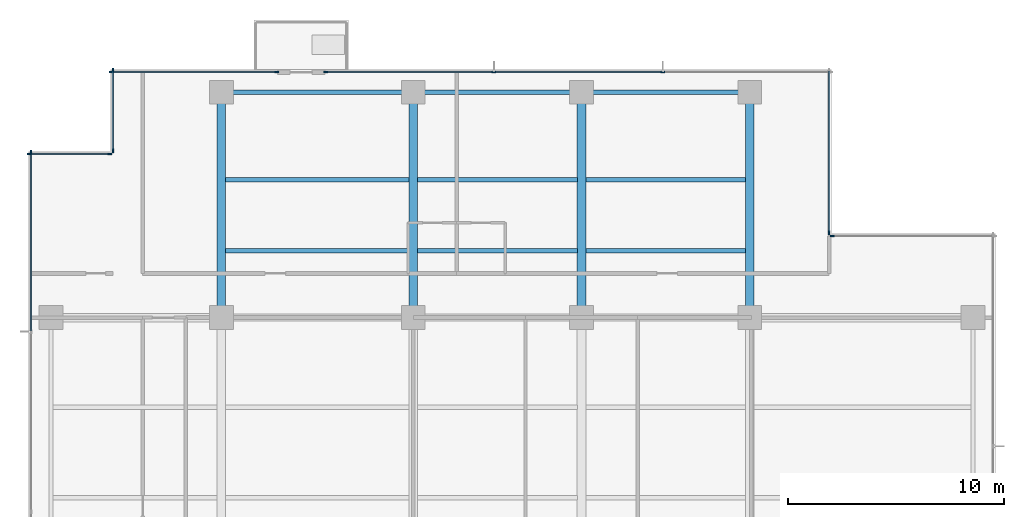
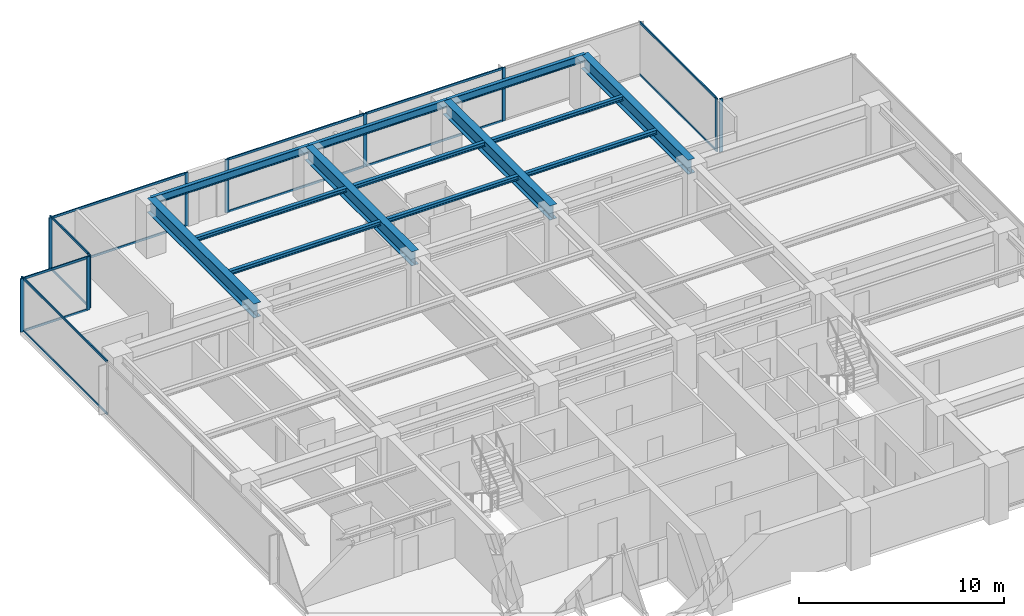
# One storey, part 4 of 14: 26 members, 13 beams, 7 elements without a shape of their own.
"""IFC4 building model written with IfcOpenShell, lengths in metres."""

from ifc_helpers import new_model, si_unit, direction, frame, origin, origin_2d, place, context, subcontext, project, spatial, rectangle, i_section, extrude, material, layer, layer_set, material_profile, profile_set, type_object, element, aggregate, save


model = new_model("IFC4")

# Units and contexts
model_context = context("Model", 3, precision=1e-05, world=origin(), true_north=direction((0.0, 1.0)))
body_context = subcontext(model_context, "Body", "Model", "MODEL_VIEW")
ifc_project = project(units=[si_unit("LENGTHUNIT", "METRE"), si_unit("AREAUNIT", "SQUARE_METRE"), si_unit("VOLUMEUNIT", "CUBIC_METRE"), si_unit("PLANEANGLEUNIT", "RADIAN"), si_unit("MASSUNIT", "GRAM", prefix="KILO")], contexts=[model_context])

# Site, building, storey
site_placement = place(None, origin())
site = spatial("IfcSite", under=ifc_project, at=site_placement, CompositionType="ELEMENT")
building_placement = place(site_placement, origin())
building = spatial("IfcBuilding", under=site, at=building_placement, Name="Qalmaran Belvedere Hotel", CompositionType="ELEMENT")
storey_placement = place(building_placement, frame((0.0, 0.0, 180.60009765625)))
storey = spatial("IfcBuildingStorey", under=building, at=storey_placement, Name="L46", CompositionType="ELEMENT", Elevation=180.60009765625)

# Beams
ifc_material_1 = material(Name="Steel S355JR", Category="steel")
ifc_material_profile_1 = material_profile(ifc_material_1, i_section(OverallWidth=0.201904296875, OverallDepth=0.2470703125, WebThickness=0.00732421875, FlangeThickness=0.010986328125, FilletRadius=0.011962890625, at=origin_2d()), Name="W250X49")
ifc_profile_set_1 = profile_set([ifc_material_profile_1], Name="Steel S355JR")
beam_type_1 = type_object("IfcBeamType", Name="BM-JST-W250X49", PredefinedType="JOIST", material=ifc_profile_set_1)
beam_1_placement = place(storey_placement, frame((20.498046875, 36.10009765625, 3.056396484375), z_axis=(1.0, 0.0, 0.0), x_axis=(0.0, 1.0, 0.0)))
element("IfcBeam", 1, at=beam_1_placement, inside=storey, type_object=beam_type_1, Name="L46 North Floor Joist 042", PredefinedType="JOIST", context=body_context, shape_type="SweptSolid", body=[
    extrude(i_section(OverallWidth=0.201904296875, OverallDepth=0.2470703125, WebThickness=0.00732421875, FlangeThickness=0.010986328125, FilletRadius=0.011962890625, at=origin_2d()), origin(), (0.0, 0.0, 1.0), 8.50390625),
])
for number, where, z_axis, x_axis, name in (
    (2, (29.39794921875, 36.10009765625, 3.056396484375), (1.0, 0.0, 0.0), (0.0, 1.0, 0.0), "L46 North Floor Joist 043"),
    (3, (37.197998046875, 36.10009765625, 3.056396484375), (1.0, 0.0, 0.0), (0.0, 1.0, 0.0), "L46 North Floor Joist 044"),
):
    element("IfcBeam", number, at=place(storey_placement, frame(where, z_axis=z_axis, x_axis=x_axis)), inside=storey, type_object=beam_type_1, Name=name, PredefinedType="JOIST", context=body_context, shape_type="SweptSolid", body=[
        extrude(i_section(OverallWidth=0.201904296875, OverallDepth=0.2470703125, WebThickness=0.00732421875, FlangeThickness=0.010986328125, FilletRadius=0.011962890625, at=origin_2d()), origin(), (0.0, 0.0, 1.0), 7.404052734375),
    ])
beam_2_placement = place(storey_placement, frame((20.498046875, 39.39990234375, 3.056396484375), z_axis=(1.0, 0.0, 0.0), x_axis=(0.0, 1.0, 0.0)))
element("IfcBeam", 4, at=beam_2_placement, inside=storey, type_object=beam_type_1, Name="L46 North Floor Joist 045", PredefinedType="JOIST", context=body_context, shape_type="SweptSolid", body=[
    extrude(i_section(OverallWidth=0.201904296875, OverallDepth=0.2470703125, WebThickness=0.00732421875, FlangeThickness=0.010986328125, FilletRadius=0.011962890625, at=origin_2d()), origin(), (0.0, 0.0, 1.0), 8.50390625),
])
for number, where, z_axis, x_axis, name in (
    (5, (29.39794921875, 39.39990234375, 3.056396484375), (1.0, 0.0, 0.0), (0.0, 1.0, 0.0), "L46 North Floor Joist 046"),
    (6, (37.197998046875, 39.39990234375, 3.056396484375), (1.0, 0.0, 0.0), (0.0, 1.0, 0.0), "L46 North Floor Joist 047"),
):
    element("IfcBeam", number, at=place(storey_placement, frame(where, z_axis=z_axis, x_axis=x_axis)), inside=storey, type_object=beam_type_1, Name=name, PredefinedType="JOIST", context=body_context, shape_type="SweptSolid", body=[
        extrude(i_section(OverallWidth=0.201904296875, OverallDepth=0.2470703125, WebThickness=0.00732421875, FlangeThickness=0.010986328125, FilletRadius=0.011962890625, at=origin_2d()), origin(), (0.0, 0.0, 1.0), 7.404052734375),
    ])
ifc_material_profile_2 = material_profile(ifc_material_1, i_section(OverallWidth=0.39990234375, OverallDepth=0.85498046875, WebThickness=0.018310546875, FlangeThickness=0.029296875, FilletRadius=0.02392578125, at=origin_2d()), Name="W840X299")
ifc_profile_set_2 = profile_set([ifc_material_profile_2], Name="Steel S355JR")
beam_type_2 = type_object("IfcBeamType", Name="BM-PG3-W840X299", PredefinedType="USERDEFINED", material=ifc_profile_set_2)
for number, where, z_axis, x_axis, name in (
    (7, (20.300048828125, 33.0, 2.75244140625), (0.0, 1.0, 0.0), (-1.0, 0.0, 0.0), "L46 North Bay Girder 15"),
    (8, (29.199951171875, 33.0, 2.75244140625), (0.0, 1.0, 0.0), (-1.0, 0.0, 0.0), "L46 North Bay Girder 17"),
    (9, (37.0, 33.0, 2.75244140625), (0.0, 1.0, 0.0), (-1.0, 0.0, 0.0), "L46 North Bay Girder 19"),
    (10, (44.800048828125, 33.0, 2.75244140625), (0.0, 1.0, 0.0), (-1.0, 0.0, 0.0), "L46 North Bay Girder 21"),
):
    element("IfcBeam", number, at=place(storey_placement, frame(where, z_axis=z_axis, x_axis=x_axis)), inside=storey, type_object=beam_type_2, Name=name, ObjectType="GIRDER", PredefinedType="USERDEFINED", context=body_context, shape_type="SweptSolid", body=[
        extrude(i_section(OverallWidth=0.39990234375, OverallDepth=0.85498046875, WebThickness=0.018310546875, FlangeThickness=0.029296875, FilletRadius=0.02392578125, at=origin_2d()), origin(), (0.0, 0.0, 1.0), 10.449951171875),
    ])
ifc_material_profile_3 = material_profile(ifc_material_1, i_section(OverallWidth=0.19189453125, OverallDepth=0.462890625, WebThickness=0.010498046875, FlangeThickness=0.017578125, FilletRadius=0.01611328125, at=origin_2d()), Name="W460X89")
ifc_profile_set_3 = profile_set([ifc_material_profile_3], Name="Steel S355JR")
beam_type_3 = type_object("IfcBeamType", Name="BM-SP2-W460X89", PredefinedType="SPANDREL", material=ifc_profile_set_3)
beam_3_placement = place(storey_placement, frame((20.300048828125, 43.449951171875, 2.948486328125), z_axis=(1.0, 0.0, 0.0), x_axis=(0.0, 1.0, 0.0)))
element("IfcBeam", 11, at=beam_3_placement, inside=storey, type_object=beam_type_3, Name="L46 Perimeter Spandrel 05", PredefinedType="SPANDREL", context=body_context, shape_type="SweptSolid", body=[
    extrude(i_section(OverallWidth=0.19189453125, OverallDepth=0.462890625, WebThickness=0.010498046875, FlangeThickness=0.017578125, FilletRadius=0.01611328125, at=origin_2d()), origin(), (0.0, 0.0, 1.0), 8.89990234375),
])
for number, where, z_axis, x_axis, name in (
    (12, (29.199951171875, 43.449951171875, 2.948486328125), (1.0, 0.0, 0.0), (0.0, 1.0, 0.0), "L46 Perimeter Spandrel 06"),
    (13, (37.0, 43.449951171875, 2.948486328125), (1.0, 0.0, 0.0), (0.0, 1.0, 0.0), "L46 Perimeter Spandrel 07"),
):
    element("IfcBeam", number, at=place(storey_placement, frame(where, z_axis=z_axis, x_axis=x_axis)), inside=storey, type_object=beam_type_3, Name=name, PredefinedType="SPANDREL", context=body_context, shape_type="SweptSolid", body=[
        extrude(i_section(OverallWidth=0.19189453125, OverallDepth=0.462890625, WebThickness=0.010498046875, FlangeThickness=0.017578125, FilletRadius=0.01611328125, at=origin_2d()), origin(), (0.0, 0.0, 1.0), 7.800048828125),
    ])

# Curtain wall, member
ifc_material_2 = material(Name="Anodised Bronze Aluminium", Category="aluminium")
ifc_layer = layer(ifc_material_2, 0.195068359375, Name="Anodised Bronze Aluminium")
ifc_layer_set = layer_set([ifc_layer], Name="Anodised Bronze Aluminium")
curtain_wall_type = type_object("IfcCurtainWallType", Name="CW4-TOWER-HIGHMID", PredefinedType="NOTDEFINED", material=ifc_layer_set)
curtain_wall_1_placement = place(storey_placement, origin())
curtain_wall_1 = element("IfcCurtainWall", 14, at=curtain_wall_1_placement, inside=storey, type_object=curtain_wall_type, Name="L46 Curtain Wall CW4", PredefinedType="NOTDEFINED")
ifc_material_profile_4 = material_profile(ifc_material_2, rectangle(XDim=0.070068359375, YDim=0.18994140625, at=origin_2d()), Name="CWM70X190")
ifc_profile_set_4 = profile_set([ifc_material_profile_4], Name="Anodised Bronze Aluminium")
member_type_1 = type_object("IfcMemberType", Name="CWM-70X190", PredefinedType="MULLION", material=ifc_profile_set_4)
member_1_placement = place(storey_placement, frame((48.635009765625, 36.780029296875, 0.0), z_axis=(0.0, 0.0, 1.0), x_axis=(0.0, -1.0, 0.0)))
member_1 = element("IfcMember", 15, at=member_1_placement, type_object=member_type_1, Name="CW4 mullion 2", PredefinedType="MULLION", context=body_context, shape_type="SweptSolid", body=[
    extrude(rectangle(XDim=0.070068359375, YDim=0.18994140625, at=origin_2d()), origin(), (0.0, 0.0, 1.0), 3.179931640625),
])
aggregate(curtain_wall_1, [member_1])

curtain_wall_2_placement = place(storey_placement, origin())
curtain_wall_2 = element("IfcCurtainWall", 16, at=curtain_wall_2_placement, inside=storey, type_object=curtain_wall_type, Name="L46 Curtain Wall CW4", PredefinedType="NOTDEFINED")
member_2_placement = place(storey_placement, frame((48.47998046875, 36.93505859375, 0.0), z_axis=(0.0, 0.0, 1.0), x_axis=(-1.0, 0.0, 0.0)))
member_2 = element("IfcMember", 17, at=member_2_placement, type_object=member_type_1, Name="CW4 mullion 1", PredefinedType="MULLION", context=body_context, shape_type="SweptSolid", body=[
    extrude(rectangle(XDim=0.070068359375, YDim=0.18994140625, at=origin_2d()), origin(), (0.0, 0.0, 1.0), 3.179931640625),
])

# Curtain wall, members
curtain_wall_3_placement = place(storey_placement, origin())
curtain_wall_3 = element("IfcCurtainWall", 18, at=curtain_wall_3_placement, inside=storey, type_object=curtain_wall_type, Name="L46 Curtain Wall CW4", PredefinedType="NOTDEFINED")
member_3_placement = place(storey_placement, frame((22.864990234375, 44.3798828125, 0.0), z_axis=(0.0, 0.0, 1.0), x_axis=(0.0, -1.0, 0.0)))
member_3 = element("IfcMember", 19, at=member_3_placement, type_object=member_type_1, Name="CW4 mullion 1", PredefinedType="MULLION", context=body_context, shape_type="SweptSolid", body=[
    extrude(rectangle(XDim=0.070068359375, YDim=0.18994140625, at=origin_2d()), origin(), (0.0, 0.0, 1.0), 3.179931640625),
])
member_4_placement = place(storey_placement, frame((15.18505859375, 44.3798828125, 0.0), z_axis=(0.0, 0.0, 1.0), x_axis=(0.0, -1.0, 0.0)))
member_4 = element("IfcMember", 20, at=member_4_placement, type_object=member_type_1, Name="CW4 mullion 2", PredefinedType="MULLION", context=body_context, shape_type="SweptSolid", body=[
    extrude(rectangle(XDim=0.070068359375, YDim=0.18994140625, at=origin_2d()), origin(), (0.0, 0.0, 1.0), 3.179931640625),
])

curtain_wall_4_placement = place(storey_placement, origin())
curtain_wall_4 = element("IfcCurtainWall", 21, at=curtain_wall_4_placement, inside=storey, type_object=curtain_wall_type, Name="L46 Curtain Wall CW4", PredefinedType="NOTDEFINED")
member_5_placement = place(storey_placement, frame((40.7666015625, 44.3798828125, 0.0), z_axis=(0.0, 0.0, 1.0), x_axis=(0.0, -1.0, 0.0)))
member_5 = element("IfcMember", 22, at=member_5_placement, type_object=member_type_1, Name="CW4 mullion 2", PredefinedType="MULLION", context=body_context, shape_type="SweptSolid", body=[
    extrude(rectangle(XDim=0.070068359375, YDim=0.18994140625, at=origin_2d()), origin(), (0.0, 0.0, 1.0), 3.179931640625),
])
member_6_placement = place(storey_placement, frame((32.933349609375, 44.3798828125, 0.0), z_axis=(0.0, 0.0, 1.0), x_axis=(0.0, -1.0, 0.0)))
member_6 = element("IfcMember", 23, at=member_6_placement, type_object=member_type_1, Name="CW4 mullion 3", PredefinedType="MULLION", context=body_context, shape_type="SweptSolid", body=[
    extrude(rectangle(XDim=0.070068359375, YDim=0.18994140625, at=origin_2d()), origin(), (0.0, 0.0, 1.0), 3.179931640625),
])
member_7_placement = place(storey_placement, frame((25.135009765625, 44.3798828125, 0.0), z_axis=(0.0, 0.0, 1.0), x_axis=(0.0, -1.0, 0.0)))
member_7 = element("IfcMember", 24, at=member_7_placement, type_object=member_type_1, Name="CW4 mullion 4", PredefinedType="MULLION", context=body_context, shape_type="SweptSolid", body=[
    extrude(rectangle(XDim=0.070068359375, YDim=0.18994140625, at=origin_2d()), origin(), (0.0, 0.0, 1.0), 3.179931640625),
])

curtain_wall_5_placement = place(storey_placement, origin())
curtain_wall_5 = element("IfcCurtainWall", 25, at=curtain_wall_5_placement, inside=storey, type_object=curtain_wall_type, Name="L46 Curtain Wall CW4", PredefinedType="NOTDEFINED")
member_8_placement = place(storey_placement, frame((15.27001953125, 44.465087890625, 0.0), z_axis=(0.0, 0.0, 1.0), x_axis=(1.0, 0.0, 0.0)))
member_8 = element("IfcMember", 26, at=member_8_placement, type_object=member_type_1, Name="CW4 mullion 1", PredefinedType="MULLION", context=body_context, shape_type="SweptSolid", body=[
    extrude(rectangle(XDim=0.070068359375, YDim=0.18994140625, at=origin_2d()), origin(), (0.0, 0.0, 1.0), 3.179931640625),
])
member_9_placement = place(storey_placement, frame((15.27001953125, 40.735107421875, 0.0), z_axis=(0.0, 0.0, 1.0), x_axis=(1.0, 0.0, 0.0)))
member_9 = element("IfcMember", 27, at=member_9_placement, type_object=member_type_1, Name="CW4 mullion 2", PredefinedType="MULLION", context=body_context, shape_type="SweptSolid", body=[
    extrude(rectangle(XDim=0.070068359375, YDim=0.18994140625, at=origin_2d()), origin(), (0.0, 0.0, 1.0), 3.179931640625),
])

curtain_wall_6_placement = place(storey_placement, origin())
curtain_wall_6 = element("IfcCurtainWall", 28, at=curtain_wall_6_placement, inside=storey, type_object=curtain_wall_type, Name="L46 Curtain Wall CW4", PredefinedType="NOTDEFINED")
member_10_placement = place(storey_placement, frame((15.114990234375, 40.580078125, 0.0), z_axis=(0.0, 0.0, 1.0), x_axis=(0.0, -1.0, 0.0)))
member_10 = element("IfcMember", 29, at=member_10_placement, type_object=member_type_1, Name="CW4 mullion 1", PredefinedType="MULLION", context=body_context, shape_type="SweptSolid", body=[
    extrude(rectangle(XDim=0.070068359375, YDim=0.18994140625, at=origin_2d()), origin(), (0.0, 0.0, 1.0), 3.179931640625),
])
member_11_placement = place(storey_placement, frame((11.385009765625, 40.580078125, 0.0), z_axis=(0.0, 0.0, 1.0), x_axis=(0.0, -1.0, 0.0)))
member_11 = element("IfcMember", 30, at=member_11_placement, type_object=member_type_1, Name="CW4 mullion 2", PredefinedType="MULLION", context=body_context, shape_type="SweptSolid", body=[
    extrude(rectangle(XDim=0.070068359375, YDim=0.18994140625, at=origin_2d()), origin(), (0.0, 0.0, 1.0), 3.179931640625),
])

# Curtain wall, member
curtain_wall_7_placement = place(storey_placement, origin())
curtain_wall_7 = element("IfcCurtainWall", 31, at=curtain_wall_7_placement, inside=storey, type_object=curtain_wall_type, Name="L46 Curtain Wall CW4", PredefinedType="NOTDEFINED")
member_12_placement = place(storey_placement, frame((11.469970703125, 40.6650390625, 0.0), z_axis=(0.0, 0.0, 1.0), x_axis=(1.0, 0.0, 0.0)))
member_12 = element("IfcMember", 32, at=member_12_placement, type_object=member_type_1, Name="CW4 mullion 1", PredefinedType="MULLION", context=body_context, shape_type="SweptSolid", body=[
    extrude(rectangle(XDim=0.070068359375, YDim=0.18994140625, at=origin_2d()), origin(), (0.0, 0.0, 1.0), 3.179931640625),
])

# Member
ifc_material_profile_5 = material_profile(ifc_material_2, rectangle(XDim=0.06494140625, YDim=0.1298828125, at=origin_2d()), Name="CWT65X130")
ifc_profile_set_5 = profile_set([ifc_material_profile_5], Name="Anodised Bronze Aluminium")
member_type_2 = type_object("IfcMemberType", Name="CWT-65X130", PredefinedType="USERDEFINED", material=ifc_profile_set_5)
member_13_placement = place(storey_placement, frame((48.47998046875, 36.969970703125, 0.032470703125), z_axis=(0.0, 1.0, 0.0), x_axis=(-1.0, 0.0, 0.0)))
member_13 = element("IfcMember", 33, at=member_13_placement, type_object=member_type_2, Name="CW4 transom 1.1", ObjectType="TRANSOM", PredefinedType="USERDEFINED", context=body_context, shape_type="SweptSolid", body=[
    extrude(rectangle(XDim=0.06494140625, YDim=0.1298828125, at=origin_2d()), origin(), (0.0, 0.0, 1.0), 7.4599609375),
])

member_14_placement = place(storey_placement, frame((48.47998046875, 36.969970703125, 3.1474609375), z_axis=(0.0, 1.0, 0.0), x_axis=(-1.0, 0.0, 0.0)))
member_14 = element("IfcMember", 34, at=member_14_placement, type_object=member_type_2, Name="CW4 transom 1.2", ObjectType="TRANSOM", PredefinedType="USERDEFINED", context=body_context, shape_type="SweptSolid", body=[
    extrude(rectangle(XDim=0.06494140625, YDim=0.1298828125, at=origin_2d()), origin(), (0.0, 0.0, 1.0), 7.4599609375),
])

aggregate(curtain_wall_2, [member_2, member_13, member_14])

member_15_placement = place(storey_placement, frame((22.830078125, 44.3798828125, 0.032470703125), z_axis=(-1.0, 0.0, 0.0), x_axis=(0.0, -1.0, 0.0)))
member_15 = element("IfcMember", 35, at=member_15_placement, type_object=member_type_2, Name="CW4 transom 1.1", ObjectType="TRANSOM", PredefinedType="USERDEFINED", context=body_context, shape_type="SweptSolid", body=[
    extrude(rectangle(XDim=0.06494140625, YDim=0.1298828125, at=origin_2d()), origin(), (0.0, 0.0, 1.0), 7.610107421875),
])

member_16_placement = place(storey_placement, frame((22.830078125, 44.3798828125, 3.1474609375), z_axis=(-1.0, 0.0, 0.0), x_axis=(0.0, -1.0, 0.0)))
member_16 = element("IfcMember", 36, at=member_16_placement, type_object=member_type_2, Name="CW4 transom 1.2", ObjectType="TRANSOM", PredefinedType="USERDEFINED", context=body_context, shape_type="SweptSolid", body=[
    extrude(rectangle(XDim=0.06494140625, YDim=0.1298828125, at=origin_2d()), origin(), (0.0, 0.0, 1.0), 7.610107421875),
])

aggregate(curtain_wall_3, [member_3, member_4, member_15, member_16])

member_17_placement = place(storey_placement, frame((40.731689453125, 44.3798828125, 0.032470703125), z_axis=(-1.0, 0.0, 0.0), x_axis=(0.0, -1.0, 0.0)))
member_17 = element("IfcMember", 37, at=member_17_placement, type_object=member_type_2, Name="CW4 transom 2.1", ObjectType="TRANSOM", PredefinedType="USERDEFINED", context=body_context, shape_type="SweptSolid", body=[
    extrude(rectangle(XDim=0.06494140625, YDim=0.1298828125, at=origin_2d()), origin(), (0.0, 0.0, 1.0), 7.763427734375),
])

member_18_placement = place(storey_placement, frame((40.731689453125, 44.3798828125, 3.1474609375), z_axis=(-1.0, 0.0, 0.0), x_axis=(0.0, -1.0, 0.0)))
member_18 = element("IfcMember", 38, at=member_18_placement, type_object=member_type_2, Name="CW4 transom 2.2", ObjectType="TRANSOM", PredefinedType="USERDEFINED", context=body_context, shape_type="SweptSolid", body=[
    extrude(rectangle(XDim=0.06494140625, YDim=0.1298828125, at=origin_2d()), origin(), (0.0, 0.0, 1.0), 7.763427734375),
])

member_19_placement = place(storey_placement, frame((32.8984375, 44.3798828125, 0.032470703125), z_axis=(-1.0, 0.0, 0.0), x_axis=(0.0, -1.0, 0.0)))
member_19 = element("IfcMember", 39, at=member_19_placement, type_object=member_type_2, Name="CW4 transom 3.1", ObjectType="TRANSOM", PredefinedType="USERDEFINED", context=body_context, shape_type="SweptSolid", body=[
    extrude(rectangle(XDim=0.06494140625, YDim=0.1298828125, at=origin_2d()), origin(), (0.0, 0.0, 1.0), 7.728515625),
])

member_20_placement = place(storey_placement, frame((32.8984375, 44.3798828125, 3.1474609375), z_axis=(-1.0, 0.0, 0.0), x_axis=(0.0, -1.0, 0.0)))
member_20 = element("IfcMember", 40, at=member_20_placement, type_object=member_type_2, Name="CW4 transom 3.2", ObjectType="TRANSOM", PredefinedType="USERDEFINED", context=body_context, shape_type="SweptSolid", body=[
    extrude(rectangle(XDim=0.06494140625, YDim=0.1298828125, at=origin_2d()), origin(), (0.0, 0.0, 1.0), 7.728515625),
])

aggregate(curtain_wall_4, [member_5, member_6, member_7, member_17, member_18, member_19, member_20])

member_21_placement = place(storey_placement, frame((15.27001953125, 44.429931640625, 0.032470703125), z_axis=(0.0, -1.0, 0.0), x_axis=(1.0, 0.0, 0.0)))
member_21 = element("IfcMember", 41, at=member_21_placement, type_object=member_type_2, Name="CW4 transom 1.1", ObjectType="TRANSOM", PredefinedType="USERDEFINED", context=body_context, shape_type="SweptSolid", body=[
    extrude(rectangle(XDim=0.06494140625, YDim=0.1298828125, at=origin_2d()), origin(), (0.0, 0.0, 1.0), 3.659912109375),
])

member_22_placement = place(storey_placement, frame((15.27001953125, 44.429931640625, 3.1474609375), z_axis=(0.0, -1.0, 0.0), x_axis=(1.0, 0.0, 0.0)))
member_22 = element("IfcMember", 42, at=member_22_placement, type_object=member_type_2, Name="CW4 transom 1.2", ObjectType="TRANSOM", PredefinedType="USERDEFINED", context=body_context, shape_type="SweptSolid", body=[
    extrude(rectangle(XDim=0.06494140625, YDim=0.1298828125, at=origin_2d()), origin(), (0.0, 0.0, 1.0), 3.659912109375),
])

aggregate(curtain_wall_5, [member_8, member_9, member_21, member_22])

member_23_placement = place(storey_placement, frame((15.080078125, 40.580078125, 0.032470703125), z_axis=(-1.0, 0.0, 0.0), x_axis=(0.0, -1.0, 0.0)))
member_23 = element("IfcMember", 43, at=member_23_placement, type_object=member_type_2, Name="CW4 transom 1.1", ObjectType="TRANSOM", PredefinedType="USERDEFINED", context=body_context, shape_type="SweptSolid", body=[
    extrude(rectangle(XDim=0.06494140625, YDim=0.1298828125, at=origin_2d()), origin(), (0.0, 0.0, 1.0), 3.66015625),
])

member_24_placement = place(storey_placement, frame((15.080078125, 40.580078125, 3.1474609375), z_axis=(-1.0, 0.0, 0.0), x_axis=(0.0, -1.0, 0.0)))
member_24 = element("IfcMember", 44, at=member_24_placement, type_object=member_type_2, Name="CW4 transom 1.2", ObjectType="TRANSOM", PredefinedType="USERDEFINED", context=body_context, shape_type="SweptSolid", body=[
    extrude(rectangle(XDim=0.06494140625, YDim=0.1298828125, at=origin_2d()), origin(), (0.0, 0.0, 1.0), 3.66015625),
])

aggregate(curtain_wall_6, [member_10, member_11, member_23, member_24])

member_25_placement = place(storey_placement, frame((11.469970703125, 40.6298828125, 0.032470703125), z_axis=(0.0, -1.0, 0.0), x_axis=(1.0, 0.0, 0.0)))
member_25 = element("IfcMember", 45, at=member_25_placement, type_object=member_type_2, Name="CW4 transom 1.1", ObjectType="TRANSOM", PredefinedType="USERDEFINED", context=body_context, shape_type="SweptSolid", body=[
    extrude(rectangle(XDim=0.06494140625, YDim=0.1298828125, at=origin_2d()), origin(), (0.0, 0.0, 1.0), 8.244873046875),
])

member_26_placement = place(storey_placement, frame((11.469970703125, 40.6298828125, 3.1474609375), z_axis=(0.0, -1.0, 0.0), x_axis=(1.0, 0.0, 0.0)))
member_26 = element("IfcMember", 46, at=member_26_placement, type_object=member_type_2, Name="CW4 transom 1.2", ObjectType="TRANSOM", PredefinedType="USERDEFINED", context=body_context, shape_type="SweptSolid", body=[
    extrude(rectangle(XDim=0.06494140625, YDim=0.1298828125, at=origin_2d()), origin(), (0.0, 0.0, 1.0), 8.244873046875),
])

aggregate(curtain_wall_7, [member_12, member_25, member_26])

save(model, "model.ifc")
